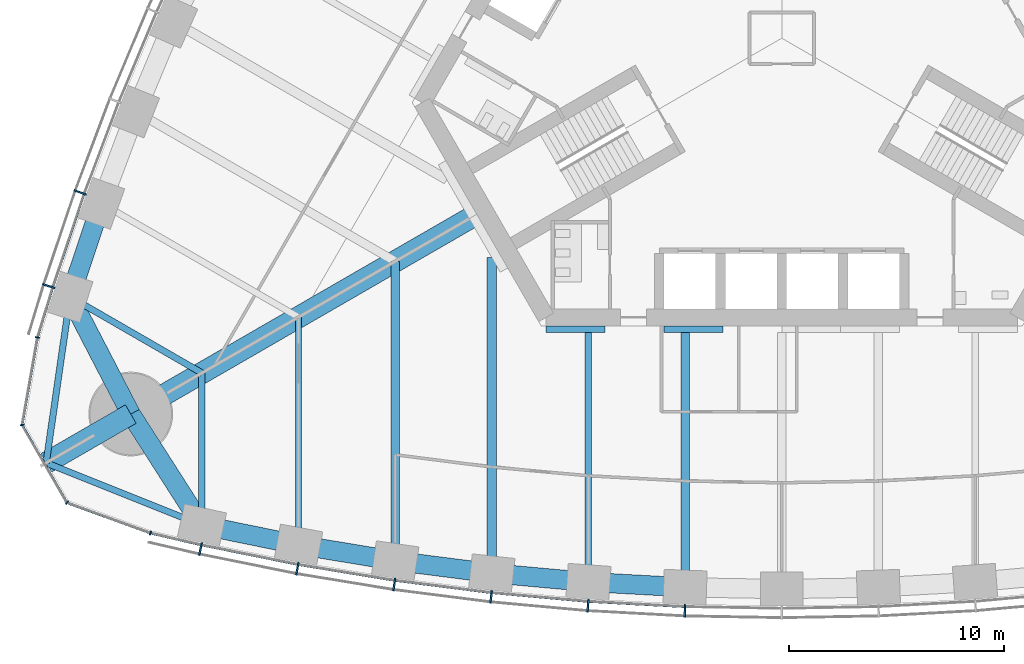
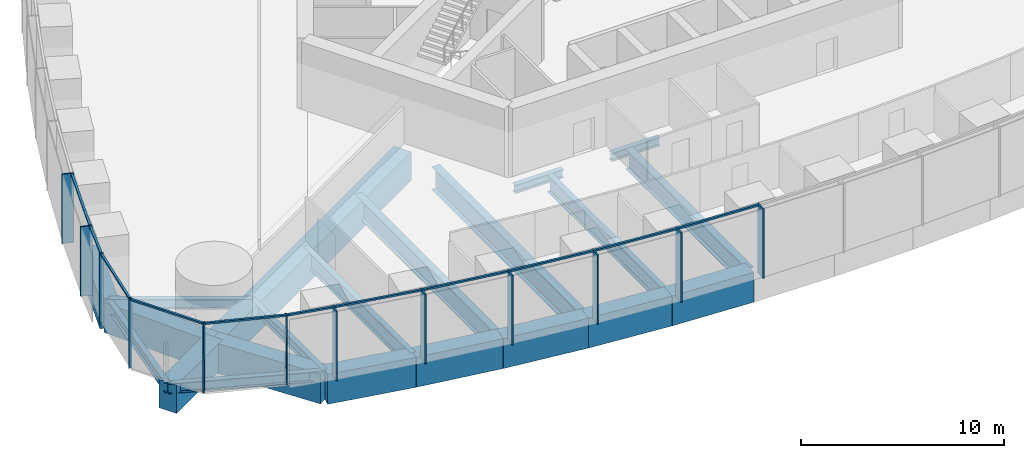
# One storey, part 2 of 18: 23 members, 21 beams, 3 elements without a shape of their own.
"""IFC4 building model written with IfcOpenShell, lengths in metres."""

from ifc_helpers import new_model, si_unit, direction, frame, origin, origin_2d, place, context, subcontext, project, spatial, rectangle, i_section, extrude, material, material_profile, profile_set, type_object, element, aggregate, save


model = new_model("IFC4")

# Units and contexts
model_context = context("Model", 3, precision=1e-05, world=origin(), true_north=direction((0.0, 1.0)))
body_context = subcontext(model_context, "Body", "Model", "MODEL_VIEW")
ifc_project = project(units=[si_unit("LENGTHUNIT", "METRE"), si_unit("AREAUNIT", "SQUARE_METRE"), si_unit("VOLUMEUNIT", "CUBIC_METRE"), si_unit("PLANEANGLEUNIT", "RADIAN"), si_unit("MASSUNIT", "GRAM", prefix="KILO")], contexts=[model_context])

# Site, building, storey
site_placement = place(None, origin())
site = spatial("IfcSite", under=ifc_project, at=site_placement, CompositionType="ELEMENT")
building_placement = place(site_placement, origin())
building = spatial("IfcBuilding", under=site, at=building_placement, Name="Trefoil Bronze Tower", CompositionType="ELEMENT")
storey_placement = place(building_placement, frame((0.0, 0.0, 170.300048828125)))
storey = spatial("IfcBuildingStorey", under=building, at=storey_placement, Name="L39", CompositionType="ELEMENT", Elevation=170.300048828125)

# Curtain wall, members
ifc_material_1 = material(Name="Tinted solar-control glass", Category="glass")
curtain_wall_type_1 = type_object("IfcCurtainWallType", Name="Bronze office curtain wall", PredefinedType="USERDEFINED", material=ifc_material_1)
curtain_wall_1_placement = place(storey_placement, origin())
curtain_wall_1 = element("IfcCurtainWall", 1, at=curtain_wall_1_placement, inside=storey, type_object=curtain_wall_type_1, Name="CW-A L39 F1", ObjectType="CURTAIN WALL", PredefinedType="USERDEFINED")
ifc_material_2 = material(Name="Bronze-finish aluminium", Category="aluminium")
ifc_material_profile_1 = material_profile(ifc_material_2, rectangle(XDim=0.60009765625, YDim=0.080078125, at=origin_2d()), Name="CW-A mullion")
ifc_profile_set_1 = profile_set([ifc_material_profile_1], Name="Bronze-finish aluminium")
member_type_1 = type_object("IfcMemberType", Name="Bronze office curtain wall mullion", PredefinedType="MULLION", material=ifc_profile_set_1)
member_1_placement = place(storey_placement, frame((-27.0634765625, -23.7890625, 0.0), z_axis=(0.0, 0.0, 1.0), x_axis=(0.21197042503, 0.977276081214, 0.0)))
member_1 = element("IfcMember", 2, at=member_1_placement, type_object=member_type_1, Name="CW-A L39 F1 mullion 2", PredefinedType="MULLION", context=body_context, shape_type="SweptSolid", body=[
    extrude(rectangle(XDim=0.60009765625, YDim=0.080078125, at=origin_2d()), origin(), (0.0, 0.0, 1.0), 4.179931640625),
])
member_2_placement = place(storey_placement, frame((-22.553955078125, -24.700927734375, 0.0), z_axis=(0.0, 0.0, 1.0), x_axis=(0.180240853954, 0.98362250613, 0.0)))
member_2 = element("IfcMember", 3, at=member_2_placement, type_object=member_type_1, Name="CW-A L39 F1 mullion 3", PredefinedType="MULLION", context=body_context, shape_type="SweptSolid", body=[
    extrude(rectangle(XDim=0.60009765625, YDim=0.080078125, at=origin_2d()), origin(), (0.0, 0.0, 1.0), 4.179931640625),
])
member_3_placement = place(storey_placement, frame((-18.043212890625, -25.4423828125, 0.0), z_axis=(0.0, 0.0, 1.0), x_axis=(0.144192103798, 0.989549714366, 0.0)))
member_3 = element("IfcMember", 4, at=member_3_placement, type_object=member_type_1, Name="CW-A L39 F1 mullion 4", PredefinedType="MULLION", context=body_context, shape_type="SweptSolid", body=[
    extrude(rectangle(XDim=0.60009765625, YDim=0.080078125, at=origin_2d()), origin(), (0.0, 0.0, 1.0), 4.179931640625),
])
member_4_placement = place(storey_placement, frame((-13.532470703125, -26.01611328125, 0.0), z_axis=(0.0, 0.0, 1.0), x_axis=(0.108143747013, 0.994135267447, 0.0)))
member_4 = element("IfcMember", 5, at=member_4_placement, type_object=member_type_1, Name="CW-A L39 F1 mullion 5", PredefinedType="MULLION", context=body_context, shape_type="SweptSolid", body=[
    extrude(rectangle(XDim=0.60009765625, YDim=0.080078125, at=origin_2d()), origin(), (0.0, 0.0, 1.0), 4.179931640625),
])
member_5_placement = place(storey_placement, frame((-9.021728515625, -26.424072265625, 0.0), z_axis=(0.0, 0.0, 1.0), x_axis=(0.072095676284, 0.997397720802, 0.0)))
member_5 = element("IfcMember", 6, at=member_5_placement, type_object=member_type_1, Name="CW-A L39 F1 mullion 6", PredefinedType="MULLION", context=body_context, shape_type="SweptSolid", body=[
    extrude(rectangle(XDim=0.60009765625, YDim=0.080078125, at=origin_2d()), origin(), (0.0, 0.0, 1.0), 4.179931640625),
])
member_6_placement = place(storey_placement, frame((-4.5107421875, -26.66845703125, 0.0), z_axis=(0.0, 0.0, 1.0), x_axis=(0.036047792107, 0.999350067136, 0.0)))
member_6 = element("IfcMember", 7, at=member_6_placement, type_object=member_type_1, Name="CW-A L39 F1 mullion 7", PredefinedType="MULLION", context=body_context, shape_type="SweptSolid", body=[
    extrude(rectangle(XDim=0.60009765625, YDim=0.080078125, at=origin_2d()), origin(), (0.0, 0.0, 1.0), 4.179931640625),
])

curtain_wall_2_placement = place(storey_placement, origin())
curtain_wall_2 = element("IfcCurtainWall", 8, at=curtain_wall_2_placement, inside=storey, type_object=curtain_wall_type_1, Name="CW-A L39 F3", ObjectType="CURTAIN WALL", PredefinedType="USERDEFINED")
member_7_placement = place(storey_placement, frame((-32.668701171875, -7.181884765625, 0.0), z_axis=(0.0, 0.0, 1.0), x_axis=(0.94196250502, -0.335718094742, 0.0)))
member_7 = element("IfcMember", 9, at=member_7_placement, type_object=member_type_1, Name="CW-A L39 F3 mullion 13", PredefinedType="MULLION", context=body_context, shape_type="SweptSolid", body=[
    extrude(rectangle(XDim=0.60009765625, YDim=0.080078125, at=origin_2d()), origin(), (0.0, 0.0, 1.0), 4.179931640625),
])
member_8_placement = place(storey_placement, frame((-34.1337890625, -11.543212890625, 0.0), z_axis=(0.0, 0.0, 1.0), x_axis=(0.952331125357, -0.30506626768, 0.0)))
member_8 = element("IfcMember", 10, at=member_8_placement, type_object=member_type_1, Name="CW-A L39 F3 mullion 14", PredefinedType="MULLION", context=body_context, shape_type="SweptSolid", body=[
    extrude(rectangle(XDim=0.60009765625, YDim=0.080078125, at=origin_2d()), origin(), (0.0, 0.0, 1.0), 4.179931640625),
])

# Member
ifc_material_3 = material(Name="Bronze-finish aluminium", Category="aluminium")
ifc_material_profile_2 = material_profile(ifc_material_3, rectangle(XDim=0.1201171875, YDim=0.10009765625, at=origin_2d()), Name="CW-A transom")
ifc_profile_set_2 = profile_set([ifc_material_profile_2], Name="Bronze-finish aluminium")
member_type_2 = type_object("IfcMemberType", Name="Bronze office curtain wall transom", PredefinedType="USERDEFINED", material=ifc_profile_set_2)
member_9_placement = place(storey_placement, frame((-29.34130859375, -23.05615234375, 4.1298828125), z_axis=(0.974206243495, -0.225659467196, 0.0), x_axis=(0.225659467196, 0.974206243495, 0.0)))
member_9 = element("IfcMember", 11, at=member_9_placement, type_object=member_type_2, Name="CW-A L39 F1 transom 1", ObjectType="TRANSOM", PredefinedType="USERDEFINED", context=body_context, shape_type="SweptSolid", body=[
    extrude(rectangle(XDim=0.1201171875, YDim=0.10009765625, at=origin_2d()), origin(), (0.0, 0.0, 1.0), 2.340087890625),
])

member_10_placement = place(storey_placement, frame((-26.980712890625, -23.601806640625, 4.1298828125), z_axis=(0.980153749225, -0.198238815273, 0.0), x_axis=(0.198238815273, 0.980153749225, 0.0)))
member_10 = element("IfcMember", 12, at=member_10_placement, type_object=member_type_2, Name="CW-A L39 F1 transom 2", ObjectType="TRANSOM", PredefinedType="USERDEFINED", context=body_context, shape_type="SweptSolid", body=[
    extrude(rectangle(XDim=0.1201171875, YDim=0.10009765625, at=origin_2d()), origin(), (0.0, 0.0, 1.0), 4.51123046875),
])

member_11_placement = place(storey_placement, frame((-22.476806640625, -24.510986328125, 4.1298828125), z_axis=(0.986755265284, -0.162216048636, 0.0), x_axis=(0.162216048636, 0.986755265284, 0.0)))
member_11 = element("IfcMember", 13, at=member_11_placement, type_object=member_type_2, Name="CW-A L39 F1 transom 3", ObjectType="TRANSOM", PredefinedType="USERDEFINED", context=body_context, shape_type="SweptSolid", body=[
    extrude(rectangle(XDim=0.1201171875, YDim=0.10009765625, at=origin_2d()), origin(), (0.0, 0.0, 1.0), 4.48046875),
])

member_12_placement = place(storey_placement, frame((-17.972900390625, -25.249755859375, 4.1298828125), z_axis=(0.992008387848, -0.12617193998, 0.0), x_axis=(0.12617193998, 0.992008387848, 0.0)))
member_12 = element("IfcMember", 14, at=member_12_placement, type_object=member_type_2, Name="CW-A L39 F1 transom 4", ObjectType="TRANSOM", PredefinedType="USERDEFINED", context=body_context, shape_type="SweptSolid", body=[
    extrude(rectangle(XDim=0.1201171875, YDim=0.10009765625, at=origin_2d()), origin(), (0.0, 0.0, 1.0), 4.456298828125),
])

member_13_placement = place(storey_placement, frame((-13.46923828125, -25.821044921875, 4.1298828125), z_axis=(0.995932787062, -0.090099298863, 0.0), x_axis=(0.090099298863, 0.995932787062, 0.0)))
member_13 = element("IfcMember", 15, at=member_13_placement, type_object=member_type_2, Name="CW-A L39 F1 transom 5", ObjectType="TRANSOM", PredefinedType="USERDEFINED", context=body_context, shape_type="SweptSolid", body=[
    extrude(rectangle(XDim=0.1201171875, YDim=0.10009765625, at=origin_2d()), origin(), (0.0, 0.0, 1.0), 4.4384765625),
])

member_14_placement = place(storey_placement, frame((-8.965576171875, -26.22705078125, 4.1298828125), z_axis=(0.998538253569, -0.054049571306, 0.0), x_axis=(0.054049571306, 0.998538253569, 0.0)))
member_14 = element("IfcMember", 16, at=member_14_placement, type_object=member_type_2, Name="CW-A L39 F1 transom 6", ObjectType="TRANSOM", PredefinedType="USERDEFINED", context=body_context, shape_type="SweptSolid", body=[
    extrude(rectangle(XDim=0.1201171875, YDim=0.10009765625, at=origin_2d()), origin(), (0.0, 0.0, 1.0), 4.4267578125),
])

aggregate(curtain_wall_1, [member_1, member_2, member_3, member_4, member_5, member_6, member_9, member_10, member_11, member_12, member_13, member_14])

member_15_placement = place(storey_placement, frame((-32.49365234375, -7.28857421875, 4.1298828125), z_axis=(-0.318386323729, -0.947961048178, 0.0), x_axis=(0.947961048178, -0.318386323729, 0.0)))
member_15 = element("IfcMember", 17, at=member_15_placement, type_object=member_type_2, Name="CW-A L39 F3 transom 13", ObjectType="TRANSOM", PredefinedType="USERDEFINED", context=body_context, shape_type="SweptSolid", body=[
    extrude(rectangle(XDim=0.1201171875, YDim=0.10009765625, at=origin_2d()), origin(), (0.0, 0.0, 1.0), 4.51123046875),
])

member_16_placement = place(storey_placement, frame((-33.955322265625, -11.643798828125, 4.1298828125), z_axis=(-0.291680468798, -0.956515814883, 0.0), x_axis=(0.956515814883, -0.291680468798, 0.0)))
member_16 = element("IfcMember", 18, at=member_16_placement, type_object=member_type_2, Name="CW-A L39 F3 transom 14", ObjectType="TRANSOM", PredefinedType="USERDEFINED", context=body_context, shape_type="SweptSolid", body=[
    extrude(rectangle(XDim=0.1201171875, YDim=0.10009765625, at=origin_2d()), origin(), (0.0, 0.0, 1.0), 2.34033203125),
])

aggregate(curtain_wall_2, [member_7, member_8, member_15, member_16])

# Curtain wall, members
ifc_material_4 = material(Name="Tinted solar-control glass", Category="glass")
curtain_wall_type_2 = type_object("IfcCurtainWallType", Name="Bronze rounded corner curtain wall", PredefinedType="USERDEFINED", material=ifc_material_4)
curtain_wall_3_placement = place(storey_placement, origin())
curtain_wall_3 = element("IfcCurtainWall", 19, at=curtain_wall_3_placement, inside=storey, type_object=curtain_wall_type_2, Name="CW-B L39 K3", ObjectType="CURTAIN WALL", PredefinedType="USERDEFINED")
ifc_material_5 = material(Name="Bronze-finish aluminium", Category="aluminium")
ifc_material_profile_3 = material_profile(ifc_material_5, rectangle(XDim=0.199951171875, YDim=0.06005859375, at=origin_2d()), Name="CW-B mullion")
ifc_profile_set_3 = profile_set([ifc_material_profile_3], Name="Bronze-finish aluminium")
member_type_3 = type_object("IfcMemberType", Name="Bronze rounded corner curtain wall mullion", PredefinedType="MULLION", material=ifc_profile_set_3)
member_17_placement = place(storey_placement, frame((-34.65234375, -13.932373046875, 0.0), z_axis=(0.0, 0.0, 1.0), x_axis=(0.984807753012, -0.173648177667, 0.0)))
member_17 = element("IfcMember", 20, at=member_17_placement, type_object=member_type_3, Name="CW-B L39 K3 mullion 1", PredefinedType="MULLION", context=body_context, shape_type="SweptSolid", body=[
    extrude(rectangle(XDim=0.199951171875, YDim=0.06005859375, at=origin_2d()), origin(), (0.0, 0.0, 1.0), 4.179931640625),
])
member_18_placement = place(storey_placement, frame((-35.364990234375, -18.009033203125, 0.0), z_axis=(0.0, 0.0, 1.0), x_axis=(0.984807753012, 0.173648177667, 0.0)))
member_18 = element("IfcMember", 21, at=member_18_placement, type_object=member_type_3, Name="CW-B L39 K3 mullion 2", PredefinedType="MULLION", context=body_context, shape_type="SweptSolid", body=[
    extrude(rectangle(XDim=0.199951171875, YDim=0.06005859375, at=origin_2d()), origin(), (0.0, 0.0, 1.0), 4.179931640625),
])
member_19_placement = place(storey_placement, frame((-33.27880859375, -21.62255859375, 0.0), z_axis=(0.0, 0.0, 1.0), x_axis=(0.642787609687, 0.766044443119, 0.0)))
member_19 = element("IfcMember", 22, at=member_19_placement, type_object=member_type_3, Name="CW-B L39 K3 mullion 3", PredefinedType="MULLION", context=body_context, shape_type="SweptSolid", body=[
    extrude(rectangle(XDim=0.199951171875, YDim=0.06005859375, at=origin_2d()), origin(), (0.0, 0.0, 1.0), 4.179931640625),
])
member_20_placement = place(storey_placement, frame((-29.391845703125, -23.043701171875, 0.0), z_axis=(0.0, 0.0, 1.0), x_axis=(0.342020143326, 0.939692620786, 0.0)))
member_20 = element("IfcMember", 23, at=member_20_placement, type_object=member_type_3, Name="CW-B L39 K3 mullion 4", PredefinedType="MULLION", context=body_context, shape_type="SweptSolid", body=[
    extrude(rectangle(XDim=0.199951171875, YDim=0.06005859375, at=origin_2d()), origin(), (0.0, 0.0, 1.0), 4.179931640625),
])
ifc_material_6 = material(Name="Bronze-finish aluminium", Category="aluminium")
ifc_material_profile_4 = material_profile(ifc_material_6, rectangle(XDim=0.1201171875, YDim=0.10009765625, at=origin_2d()), Name="CW-B transom")
ifc_profile_set_4 = profile_set([ifc_material_profile_4], Name="Bronze-finish aluminium")
member_type_4 = type_object("IfcMemberType", Name="Bronze rounded corner curtain wall transom", PredefinedType="USERDEFINED", material=ifc_profile_set_4)
member_21_placement = place(storey_placement, frame((-34.657470703125, -13.9619140625, 4.1298828125), z_axis=(-0.173682016639, -0.984801785689, 0.0), x_axis=(0.984801785689, -0.173682016639, 0.0)))
member_21 = element("IfcMember", 24, at=member_21_placement, type_object=member_type_4, Name="CW-B L39 K3 transom 1", ObjectType="TRANSOM", PredefinedType="USERDEFINED", context=body_context, shape_type="SweptSolid", body=[
    extrude(rectangle(XDim=0.1201171875, YDim=0.10009765625, at=origin_2d()), origin(), (0.0, 0.0, 1.0), 4.044189453125),
])
member_22_placement = place(storey_placement, frame((-35.338134765625, -18.067626953125, 4.1298828125), z_axis=(0.500015078168, -0.866016698225, 0.0), x_axis=(0.866016698225, 0.500015078168, 0.0)))
member_22 = element("IfcMember", 25, at=member_22_placement, type_object=member_type_4, Name="CW-B L39 K3 transom 2", ObjectType="TRANSOM", PredefinedType="USERDEFINED", context=body_context, shape_type="SweptSolid", body=[
    extrude(rectangle(XDim=0.1201171875, YDim=0.10009765625, at=origin_2d()), origin(), (0.0, 0.0, 1.0), 4.04443359375),
])
member_23_placement = place(storey_placement, frame((-33.220458984375, -21.650146484375, 4.1298828125), z_axis=(0.939684096629, -0.342043562347, 0.0), x_axis=(0.342043562347, 0.939684096629, 0.0)))
member_23 = element("IfcMember", 26, at=member_23_placement, type_object=member_type_4, Name="CW-B L39 K3 transom 3", ObjectType="TRANSOM", PredefinedType="USERDEFINED", context=body_context, shape_type="SweptSolid", body=[
    extrude(rectangle(XDim=0.1201171875, YDim=0.10009765625, at=origin_2d()), origin(), (0.0, 0.0, 1.0), 4.044189453125),
])
aggregate(curtain_wall_3, [member_17, member_18, member_19, member_20, member_21, member_22, member_23])

# Beams
ifc_material_7 = material(Name="Steel C355", Category="steel")
ifc_material_profile_5 = material_profile(ifc_material_7, i_section(OverallWidth=0.300048828125, OverallDepth=0.5, WebThickness=0.014404296875, FlangeThickness=0.028076171875, FilletRadius=0.027099609375, at=origin_2d()), Name="HEB 500")
ifc_profile_set_5 = profile_set([ifc_material_profile_5], Name="Steel C355")
beam_type_1 = type_object("IfcBeamType", Name="Core seat beam HEB 500", PredefinedType="BEAM", material=ifc_profile_set_5)
for number, where, z_axis, x_axis, name in (
    (27, (-10.9697265625, -13.550048828125, -0.449951171875), (1.0, 0.0, 0.0), (0.0, 1.0, 0.0), "Core seat beam F1/-2 L39"),
    (28, (-5.48486328125, -13.550048828125, -0.449951171875), (1.0, 0.0, 0.0), (0.0, 1.0, 0.0), "Core seat beam F1/-1 L39"),
):
    element("IfcBeam", number, at=place(storey_placement, frame(where, z_axis=z_axis, x_axis=x_axis)), inside=storey, type_object=beam_type_1, Name=name, PredefinedType="BEAM", context=body_context, shape_type="SweptSolid", body=[
        extrude(i_section(OverallWidth=0.300048828125, OverallDepth=0.5, WebThickness=0.014404296875, FlangeThickness=0.028076171875, FilletRadius=0.027099609375, at=origin_2d()), origin(), (0.0, 0.0, 1.0), 2.742431640625),
    ])
ifc_material_8 = material(Name="Concrete B80", Category="concrete")
ifc_material_profile_6 = material_profile(ifc_material_8, rectangle(XDim=1.0, YDim=1.699951171875, at=origin_2d()), Name="RC 1000x1700")
ifc_profile_set_6 = profile_set([ifc_material_profile_6], Name="Concrete B80")
beam_type_2 = type_object("IfcBeamType", Name="Corner cantilever RC 1000x1700", PredefinedType="BEAM", material=ifc_profile_set_6)
beam_1_placement = place(storey_placement, frame((-30.310791015625, -17.5, -1.050048828125), z_axis=(-0.866031878637, -0.499988785058, 0.0), x_axis=(0.499988785058, -0.866031878637, 0.0)))
element("IfcBeam", 29, at=beam_1_placement, inside=storey, type_object=beam_type_2, Name="Corner cantilever K3 L39", PredefinedType="BEAM", context=body_context, shape_type="SweptSolid", body=[
    extrude(rectangle(XDim=1.0, YDim=1.699951171875, at=origin_2d()), origin(), (0.0, 0.0, 1.0), 4.54931640625),
])
ifc_material_9 = material(Name="Steel C355", Category="steel")
ifc_material_profile_7 = material_profile(ifc_material_9, i_section(OverallWidth=0.300048828125, OverallDepth=0.60009765625, WebThickness=0.015380859375, FlangeThickness=0.030029296875, FilletRadius=0.027099609375, at=origin_2d()), Name="HEB 600")
ifc_profile_set_7 = profile_set([ifc_material_profile_7], Name="Steel C355")
beam_type_3 = type_object("IfcBeamType", Name="Corner edge beam HEB 600", PredefinedType="BEAM", material=ifc_profile_set_7)
for number, where, z_axis, x_axis, name in (
    (30, (-27.0, -22.67724609375, -0.5), (-0.928375332495, 0.371643972122, 0.0), (-0.371643972122, -0.928375332495, 0.0), "Corner edge beam F1B L39"),
    (31, (-33.13916015625, -12.044189453125, -0.5), (-0.142327214588, -0.989819662357, 0.0), (0.989819662357, -0.142327214588, 0.0), "Corner edge beam F3A L39"),
):
    element("IfcBeam", number, at=place(storey_placement, frame(where, z_axis=z_axis, x_axis=x_axis)), inside=storey, type_object=beam_type_3, Name=name, PredefinedType="BEAM", context=body_context, shape_type="SweptSolid", body=[
        extrude(i_section(OverallWidth=0.300048828125, OverallDepth=0.60009765625, WebThickness=0.015380859375, FlangeThickness=0.030029296875, FilletRadius=0.027099609375, at=origin_2d()), origin(), (0.0, 0.0, 1.0), 7.81005859375),
    ])
ifc_material_10 = material(Name="Concrete B80", Category="concrete")
ifc_material_profile_8 = material_profile(ifc_material_10, rectangle(XDim=1.0, YDim=1.699951171875, at=origin_2d()), Name="RC 1000x1700")
ifc_profile_set_8 = profile_set([ifc_material_profile_8], Name="Concrete B80")
beam_type_4 = type_object("IfcBeamType", Name="Corner girder RC 1000x1700", PredefinedType="BEAM", material=ifc_profile_set_8)
beam_2_placement = place(storey_placement, frame((-14.202880859375, -8.199951171875, -1.050048828125), z_axis=(-0.866022084834, -0.500005748546, 0.0), x_axis=(0.500005748546, -0.866022084834, 0.0)))
element("IfcBeam", 32, at=beam_2_placement, inside=storey, type_object=beam_type_4, Name="Corner girder K3 L39", PredefinedType="BEAM", context=body_context, shape_type="SweptSolid", body=[
    extrude(rectangle(XDim=1.0, YDim=1.699951171875, at=origin_2d()), origin(), (0.0, 0.0, 1.0), 18.599853515625),
])
ifc_material_11 = material(Name="Concrete B80", Category="concrete")
ifc_material_profile_9 = material_profile(ifc_material_11, rectangle(XDim=0.89990234375, YDim=1.800048828125, at=origin_2d()), Name="RC 900x1800")
ifc_profile_set_9 = profile_set([ifc_material_profile_9], Name="Concrete B80")
beam_type_5 = type_object("IfcBeamType", Name="End spandrel beam RC 900x1800", PredefinedType="SPANDREL", material=ifc_profile_set_9)
for number, where, z_axis, x_axis, name in (
    (33, (-30.310791015625, -17.5, -1.10009765625), (0.53874814953, -0.84246687257, 0.0), (0.84246687257, 0.53874814953, 0.0), "Spandrel F1.1 L39"),
    (34, (-33.13916015625, -12.044189453125, -1.10009765625), (0.460244107083, -0.887792409235, 0.0), (0.887792409235, 0.460244107083, 0.0), "Spandrel F3.14 L39"),
):
    element("IfcBeam", number, at=place(storey_placement, frame(where, z_axis=z_axis, x_axis=x_axis)), inside=storey, type_object=beam_type_5, Name=name, PredefinedType="SPANDREL", context=body_context, shape_type="SweptSolid", body=[
        extrude(rectangle(XDim=0.89990234375, YDim=1.800048828125, at=origin_2d()), origin(), (0.0, 0.0, 1.0), 6.145263671875),
    ])
ifc_material_12 = material(Name="Steel C355", Category="steel")
ifc_material_profile_10 = material_profile(ifc_material_12, i_section(OverallWidth=0.300048828125, OverallDepth=1.0, WebThickness=0.01904296875, FlangeThickness=0.035888671875, FilletRadius=0.030029296875, at=origin_2d()), Name="HEB 1000")
ifc_profile_set_10 = profile_set([ifc_material_profile_10], Name="Steel C355")
beam_type_6 = type_object("IfcBeamType", Name="Floor beam HEB 1000", PredefinedType="BEAM", material=ifc_profile_set_10)
beam_3_placement = place(storey_placement, frame((-22.5, -23.592529296875, -0.699951171875), z_axis=(0.0, 1.0, 0.0), x_axis=(-1.0, 0.0, 0.0)))
element("IfcBeam", 35, at=beam_3_placement, inside=storey, type_object=beam_type_6, Name="Floor beam F1/-5 L39", PredefinedType="BEAM", context=body_context, shape_type="SweptSolid", body=[
    extrude(i_section(OverallWidth=0.300048828125, OverallDepth=1.0, WebThickness=0.01904296875, FlangeThickness=0.035888671875, FilletRadius=0.030029296875, at=origin_2d()), origin(), (0.0, 0.0, 1.0), 10.60205078125),
])
ifc_material_13 = material(Name="Steel C355", Category="steel")
ifc_material_profile_11 = material_profile(ifc_material_13, i_section(OverallWidth=0.300048828125, OverallDepth=0.60009765625, WebThickness=0.015380859375, FlangeThickness=0.030029296875, FilletRadius=0.027099609375, at=origin_2d()), Name="HEB 600")
ifc_profile_set_11 = profile_set([ifc_material_profile_11], Name="Steel C355")
beam_type_7 = type_object("IfcBeamType", Name="Floor beam HEB 600", PredefinedType="BEAM", material=ifc_profile_set_11)
for number, where, z_axis, x_axis, name in (
    (36, (-27.0, -22.67724609375, -0.5), (0.0, 1.0, 0.0), (-1.0, 0.0, 0.0), "Floor beam F1/-6 L39"),
    (37, (-33.13916015625, -12.044189453125, -0.5), (0.866041060244, -0.499972881236, 0.0), (0.499972881236, 0.866041060244, 0.0), "Floor beam F3/+6 L39"),
):
    element("IfcBeam", number, at=place(storey_placement, frame(where, z_axis=z_axis, x_axis=x_axis)), inside=storey, type_object=beam_type_7, Name=name, PredefinedType="BEAM", context=body_context, shape_type="SweptSolid", body=[
        extrude(i_section(OverallWidth=0.300048828125, OverallDepth=0.60009765625, WebThickness=0.015380859375, FlangeThickness=0.030029296875, FilletRadius=0.027099609375, at=origin_2d()), origin(), (0.0, 0.0, 1.0), 7.0888671875),
    ])
ifc_material_14 = material(Name="Steel C355", Category="steel")
ifc_material_profile_12 = material_profile(ifc_material_14, i_section(OverallWidth=0.302001953125, OverallDepth=1.008056640625, WebThickness=0.02099609375, FlangeThickness=0.0400390625, FilletRadius=0.030029296875, at=origin_2d()), Name="HEM 1000")
ifc_profile_set_12 = profile_set([ifc_material_profile_12], Name="Steel C355")
beam_type_8 = type_object("IfcBeamType", Name="Floor beam HEM 1000", PredefinedType="BEAM", material=ifc_profile_set_12)
beam_4_placement = place(storey_placement, frame((-9.0, -25.32275390625, -0.7041015625), z_axis=(0.0, 1.0, 0.0), x_axis=(-1.0, 0.0, 0.0)))
element("IfcBeam", 38, at=beam_4_placement, inside=storey, type_object=beam_type_8, Name="Floor beam F1/-2 L39", PredefinedType="BEAM", context=body_context, shape_type="SweptSolid", body=[
    extrude(i_section(OverallWidth=0.302001953125, OverallDepth=1.008056640625, WebThickness=0.02099609375, FlangeThickness=0.0400390625, FilletRadius=0.030029296875, at=origin_2d()), origin(), (0.0, 0.0, 1.0), 11.622802734375),
])
ifc_material_15 = material(Name="Steel C355", Category="steel")
ifc_material_profile_13 = material_profile(ifc_material_15, i_section(OverallWidth=0.39990234375, OverallDepth=1.199951171875, WebThickness=0.02001953125, FlangeThickness=0.0400390625, FilletRadius=0.010009765625, at=origin_2d()), Name="WPG 1200")
ifc_profile_set_13 = profile_set([ifc_material_profile_13], Name="Steel C355")
beam_type_9 = type_object("IfcBeamType", Name="Floor beam WPG 1200", PredefinedType="BEAM", material=ifc_profile_set_13)
beam_5_placement = place(storey_placement, frame((-18.0, -24.337158203125, -0.800048828125), z_axis=(0.0, 1.0, 0.0), x_axis=(-1.0, 0.0, 0.0)))
element("IfcBeam", 39, at=beam_5_placement, inside=storey, type_object=beam_type_9, Name="Floor beam F1/-4 L39", PredefinedType="BEAM", context=body_context, shape_type="SweptSolid", body=[
    extrude(i_section(OverallWidth=0.39990234375, OverallDepth=1.199951171875, WebThickness=0.02001953125, FlangeThickness=0.0400390625, FilletRadius=0.010009765625, at=origin_2d()), origin(), (0.0, 0.0, 1.0), 13.94482421875),
])
beam_6_placement = place(storey_placement, frame((-4.5, -25.568115234375, -0.800048828125), z_axis=(0.0, 1.0, 0.0), x_axis=(-1.0, 0.0, 0.0)))
element("IfcBeam", 40, at=beam_6_placement, inside=storey, type_object=beam_type_9, Name="Floor beam F1/-1 L39", PredefinedType="BEAM", context=body_context, shape_type="SweptSolid", body=[
    extrude(i_section(OverallWidth=0.39990234375, OverallDepth=1.199951171875, WebThickness=0.02001953125, FlangeThickness=0.0400390625, FilletRadius=0.010009765625, at=origin_2d()), origin(), (0.0, 0.0, 1.0), 11.8681640625),
])
ifc_material_16 = material(Name="Steel C355", Category="steel")
ifc_material_profile_14 = material_profile(ifc_material_16, i_section(OverallWidth=0.449951171875, OverallDepth=1.39990234375, WebThickness=0.02294921875, FlangeThickness=0.044921875, FilletRadius=0.011962890625, at=origin_2d()), Name="WPG 1400")
ifc_profile_set_14 = profile_set([ifc_material_profile_14], Name="Steel C355")
beam_type_10 = type_object("IfcBeamType", Name="Floor beam WPG 1400", PredefinedType="BEAM", material=ifc_profile_set_14)
beam_7_placement = place(storey_placement, frame((-13.5, -24.9130859375, -0.900146484375), z_axis=(0.0, 1.0, 0.0), x_axis=(-1.0, 0.0, 0.0)))
element("IfcBeam", 41, at=beam_7_placement, inside=storey, type_object=beam_type_10, Name="Floor beam F1/-3 L39", PredefinedType="BEAM", context=body_context, shape_type="SweptSolid", body=[
    extrude(i_section(OverallWidth=0.449951171875, OverallDepth=1.39990234375, WebThickness=0.02294921875, FlangeThickness=0.044921875, FilletRadius=0.011962890625, at=origin_2d()), origin(), (0.0, 0.0, 1.0), 14.69580078125),
])
ifc_material_17 = material(Name="Concrete B80", Category="concrete")
ifc_material_profile_15 = material_profile(ifc_material_17, rectangle(XDim=0.89990234375, YDim=1.800048828125, at=origin_2d()), Name="RC 900x1800")
ifc_profile_set_15 = profile_set([ifc_material_profile_15], Name="Concrete B80")
beam_type_11 = type_object("IfcBeamType", Name="Spandrel beam RC 900x1800", PredefinedType="SPANDREL", material=ifc_profile_set_15)
beam_8_placement = place(storey_placement, frame((-27.0, -22.67724609375, -1.10009765625), z_axis=(0.979935430296, -0.199315208777, 0.0), x_axis=(0.199315208777, 0.979935430296, 0.0)))
element("IfcBeam", 42, at=beam_8_placement, inside=storey, type_object=beam_type_11, Name="Spandrel F1.2 L39", PredefinedType="SPANDREL", context=body_context, shape_type="SweptSolid", body=[
    extrude(rectangle(XDim=0.89990234375, YDim=1.800048828125, at=origin_2d()), origin(), (0.0, 0.0, 1.0), 4.592041015625),
])
beam_9_placement = place(storey_placement, frame((-22.5, -23.592529296875, -1.10009765625), z_axis=(0.986584214684, -0.163253138823, 0.0), x_axis=(0.163253138823, 0.986584214684, 0.0)))
element("IfcBeam", 43, at=beam_9_placement, inside=storey, type_object=beam_type_11, Name="Spandrel F1.3 L39", PredefinedType="SPANDREL", context=body_context, shape_type="SweptSolid", body=[
    extrude(rectangle(XDim=0.89990234375, YDim=1.800048828125, at=origin_2d()), origin(), (0.0, 0.0, 1.0), 4.561279296875),
])
beam_10_placement = place(storey_placement, frame((-18.0, -24.337158203125, -1.10009765625), z_axis=(0.991909314257, -0.126948463126, 0.0), x_axis=(0.126948463126, 0.991909314257, 0.0)))
element("IfcBeam", 44, at=beam_10_placement, inside=storey, type_object=beam_type_11, Name="Spandrel F1.4 L39", PredefinedType="SPANDREL", context=body_context, shape_type="SweptSolid", body=[
    extrude(rectangle(XDim=0.89990234375, YDim=1.800048828125, at=origin_2d()), origin(), (0.0, 0.0, 1.0), 4.53662109375),
])
beam_11_placement = place(storey_placement, frame((-13.5, -24.9130859375, -1.10009765625), z_axis=(0.995881683815, -0.090662405894, 0.0), x_axis=(0.090662405894, 0.995881683815, 0.0)))
element("IfcBeam", 45, at=beam_11_placement, inside=storey, type_object=beam_type_11, Name="Spandrel F1.5 L39", PredefinedType="SPANDREL", context=body_context, shape_type="SweptSolid", body=[
    extrude(rectangle(XDim=0.89990234375, YDim=1.800048828125, at=origin_2d()), origin(), (0.0, 0.0, 1.0), 4.5185546875),
])
beam_12_placement = place(storey_placement, frame((-9.0, -25.32275390625, -1.10009765625), z_axis=(0.998516832602, -0.054443870267, 0.0), x_axis=(0.054443870267, 0.998516832602, 0.0)))
element("IfcBeam", 46, at=beam_12_placement, inside=storey, type_object=beam_type_11, Name="Spandrel F1.6 L39", PredefinedType="SPANDREL", context=body_context, shape_type="SweptSolid", body=[
    extrude(rectangle(XDim=0.89990234375, YDim=1.800048828125, at=origin_2d()), origin(), (0.0, 0.0, 1.0), 4.506591796875),
])
beam_13_placement = place(storey_placement, frame((-31.681884765625, -7.689208984375, -1.10009765625), z_axis=(-0.31732802068, -0.948315837309, 0.0), x_axis=(0.948315837309, -0.31732802068, 0.0)))
element("IfcBeam", 47, at=beam_13_placement, inside=storey, type_object=beam_type_11, Name="Spandrel F3.13 L39", PredefinedType="SPANDREL", context=body_context, shape_type="SweptSolid", body=[
    extrude(rectangle(XDim=0.89990234375, YDim=1.800048828125, at=origin_2d()), origin(), (0.0, 0.0, 1.0), 4.59228515625),
])

save(model, "model.ifc")
